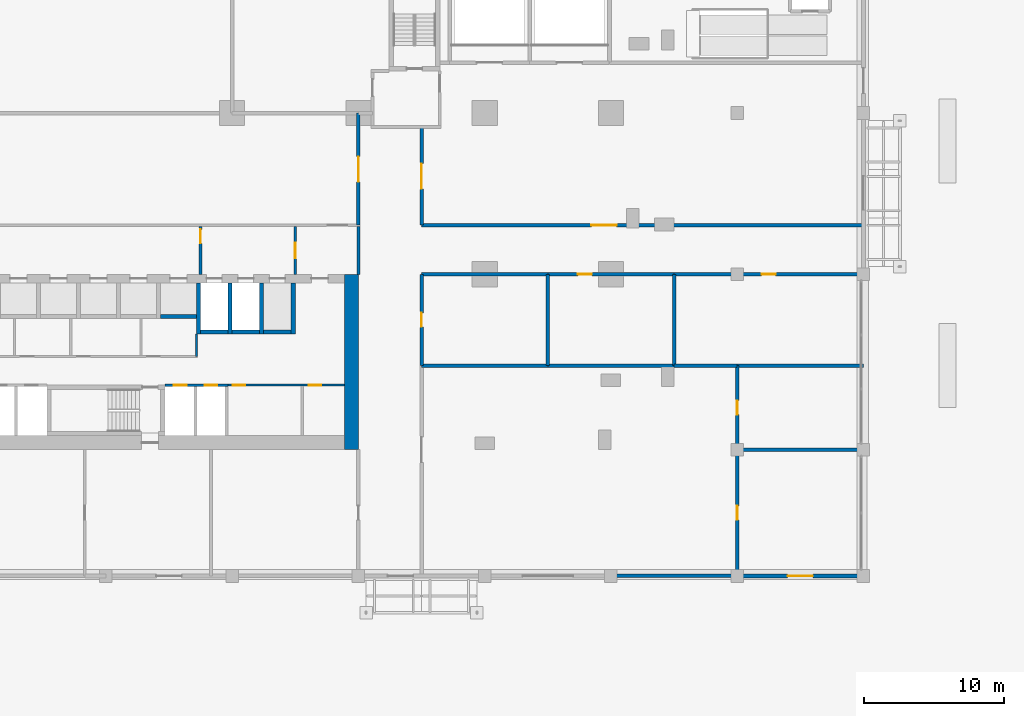
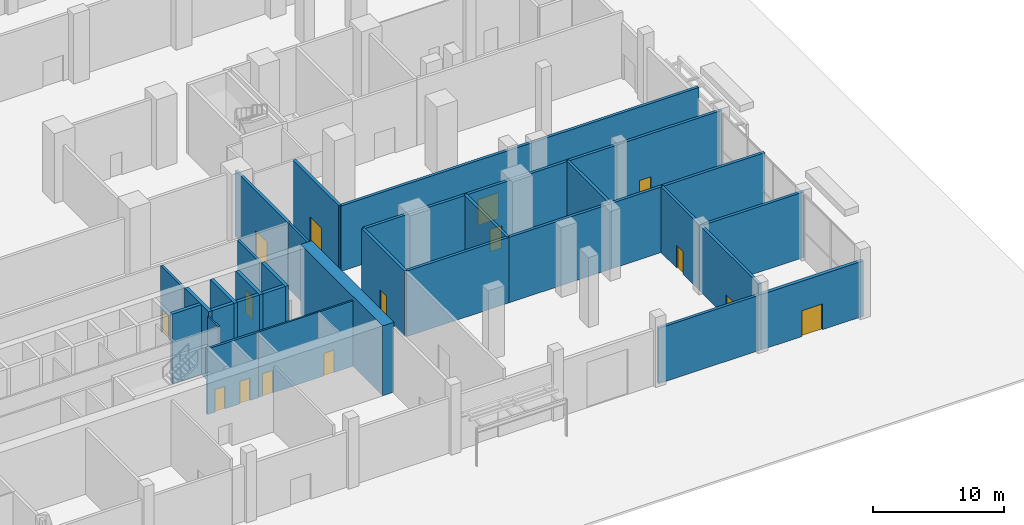
# One storey, part 33 of 39: 33 walls, 15 doors, 15 openings.
"""IFC4 building model written with IfcOpenShell, lengths in metres."""

from ifc_helpers import new_model, si_unit, direction, frame, frame_2d, origin, place, context, subcontext, project, spatial, rectangle, extrude, material, layer, layer_set, type_object, element, fill, save


model = new_model("IFC4")

# Units and contexts
model_context = context("Model", 3, precision=1e-05, world=origin(), true_north=direction((0.0, 1.0)))
body_context = subcontext(model_context, "Body", "Model", "MODEL_VIEW")
ifc_project = project(units=[si_unit("LENGTHUNIT", "METRE"), si_unit("AREAUNIT", "SQUARE_METRE"), si_unit("VOLUMEUNIT", "CUBIC_METRE"), si_unit("PLANEANGLEUNIT", "RADIAN"), si_unit("MASSUNIT", "GRAM", prefix="KILO")], contexts=[model_context])

# Site, building, storey
site_placement = place(None, origin())
site = spatial("IfcSite", under=ifc_project, at=site_placement, CompositionType="ELEMENT")
building_placement = place(site_placement, origin())
building = spatial("IfcBuilding", under=site, at=building_placement, Name="Brigalow Station Residences", CompositionType="ELEMENT")
storey_placement = place(building_placement, origin())
storey = spatial("IfcBuildingStorey", under=building, at=storey_placement, Name="L00", CompositionType="ELEMENT", Elevation=0.0)

# Walls
ifc_material_1 = material(Name="Concrete C80", Category="concrete")
ifc_layer_1 = layer(ifc_material_1, 1.0)
ifc_layer_set_1 = layer_set([ifc_layer_1], Name="CORE SHEAR WALL 1000 C80")
wall_type_1 = type_object("IfcWallType", Name="CORE SHEAR WALL 1000 C80", PredefinedType="SHEAR", material=ifc_layer_set_1)
wall_1_placement = place(storey_placement, frame((53.5, 0.0, 0.0), z_axis=(0.0, 0.0, 1.0), x_axis=(0.0, 1.0, 0.0)))
element("IfcWall", 1, at=wall_1_placement, inside=storey, type_object=wall_type_1, Name="CORE WALL OUT-E L00", PredefinedType="SHEAR", context=body_context, shape_type="SweptSolid", body=[
    extrude(rectangle(XDim=12.5, YDim=1.0, at=frame_2d((6.25, 0.0))), origin(), (0.0, 0.0, 1.0), 6.5),
])
ifc_material_2 = material(Name="Concrete C80", Category="concrete")
ifc_layer_2 = layer(ifc_material_2, 0.300048828125)
ifc_layer_set_2 = layer_set([ifc_layer_2], Name="CORE SHEAR WALL 300 C80")
wall_type_2 = type_object("IfcWallType", Name="CORE SHEAR WALL 300 C80", PredefinedType="SHEAR", material=ifc_layer_set_2)
wall_2_placement = place(storey_placement, frame((39.89990234375, 9.5, 0.0), z_axis=(0.0, 0.0, 1.0), x_axis=(1.0, 0.0, 0.0)))
element("IfcWall", 2, at=wall_2_placement, inside=storey, type_object=wall_type_2, Name="CORE WALL SH-X2-S L00", PredefinedType="SHEAR", context=body_context, shape_type="SweptSolid", body=[
    extrude(rectangle(XDim=2.550048828125, YDim=0.300048828125, at=frame_2d((1.27490234375, 0.0))), origin(), (0.0, 0.0, 1.0), 6.5),
])
wall_3_placement = place(storey_placement, frame((42.75, 8.39990234375, 0.0), z_axis=(0.0, 0.0, 1.0), x_axis=(1.0, 0.0, 0.0)))
element("IfcWall", 3, at=wall_3_placement, inside=storey, type_object=wall_type_2, Name="CORE WALL SH-FF1-S L00", PredefinedType="SHEAR", context=body_context, shape_type="SweptSolid", body=[
    extrude(rectangle(XDim=1.949951171875, YDim=0.300048828125, at=frame_2d((0.97509765625, 0.0))), origin(), (0.0, 0.0, 1.0), 6.5),
])
wall_4_placement = place(storey_placement, frame((42.60009765625, 8.25, 0.0), z_axis=(0.0, 0.0, 1.0), x_axis=(0.0, 1.0, 0.0)))
element("IfcWall", 4, at=wall_4_placement, inside=storey, type_object=wall_type_2, Name="CORE WALL SH-FF1-W L00", PredefinedType="SHEAR", context=body_context, shape_type="SweptSolid", body=[
    extrude(rectangle(XDim=3.64990234375, YDim=0.300048828125, at=frame_2d((1.824951171875, 0.0))), origin(), (0.0, 0.0, 1.0), 6.5),
])
wall_5_placement = place(storey_placement, frame((45.0, 8.39990234375, 0.0), z_axis=(0.0, 0.0, 1.0), x_axis=(1.0, 0.0, 0.0)))
element("IfcWall", 5, at=wall_5_placement, inside=storey, type_object=wall_type_2, Name="CORE WALL SH-FF2-S L00", PredefinedType="SHEAR", context=body_context, shape_type="SweptSolid", body=[
    extrude(rectangle(XDim=1.949951171875, YDim=0.300048828125, at=frame_2d((0.97509765625, 0.0))), origin(), (0.0, 0.0, 1.0), 6.5),
])
wall_6_placement = place(storey_placement, frame((44.85009765625, 8.25, 0.0), z_axis=(0.0, 0.0, 1.0), x_axis=(0.0, 1.0, 0.0)))
element("IfcWall", 6, at=wall_6_placement, inside=storey, type_object=wall_type_2, Name="CORE WALL SH-FF2-W L00", PredefinedType="SHEAR", context=body_context, shape_type="SweptSolid", body=[
    extrude(rectangle(XDim=3.64990234375, YDim=0.300048828125, at=frame_2d((1.824951171875, 0.0))), origin(), (0.0, 0.0, 1.0), 6.5),
])
wall_7_placement = place(storey_placement, frame((47.25, 8.39990234375, 0.0), z_axis=(0.0, 0.0, 1.0), x_axis=(1.0, 0.0, 0.0)))
element("IfcWall", 7, at=wall_7_placement, inside=storey, type_object=wall_type_2, Name="CORE WALL SH-SL1-S L00", PredefinedType="SHEAR", context=body_context, shape_type="SweptSolid", body=[
    extrude(rectangle(XDim=1.949951171875, YDim=0.300048828125, at=frame_2d((0.97509765625, 0.0))), origin(), (0.0, 0.0, 1.0), 6.5),
])
for number, where, z_axis, x_axis, name in (
    (8, (47.10009765625, 8.25, 0.0), (0.0, 0.0, 1.0), (0.0, 1.0, 0.0), "CORE WALL SH-SL1-W L00"),
    (9, (49.35009765625, 8.25, 0.0), (0.0, 0.0, 1.0), (0.0, 1.0, 0.0), "CORE WALL SH-SL1-E L00"),
):
    element("IfcWall", number, at=place(storey_placement, frame(where, z_axis=z_axis, x_axis=x_axis)), inside=storey, type_object=wall_type_2, Name=name, PredefinedType="SHEAR", context=body_context, shape_type="SweptSolid", body=[
        extrude(rectangle(XDim=3.64990234375, YDim=0.300048828125, at=frame_2d((1.824951171875, 0.0))), origin(), (0.0, 0.0, 1.0), 6.5),
    ])

# Wall, opening, door
ifc_material_3 = material(Name="Glass and aluminium shopfront on a masonry base", Category="masonry")
ifc_layer_3 = layer(ifc_material_3, 0.300048828125)
ifc_layer_set_3 = layer_set([ifc_layer_3], Name="ENTRANCE INFILL 300")
wall_type_3 = type_object("IfcWallType", Name="ENTRANCE INFILL 300", PredefinedType="SOLIDWALL", material=ifc_layer_set_3)
wall_8_placement = place(storey_placement, frame((81.0, -9.0, 0.0), z_axis=(0.0, 0.0, 1.0), x_axis=(1.0, 0.0, 0.0)))
wall_8 = element("IfcWall", 10, at=wall_8_placement, inside=storey, type_object=wall_type_3, Name="Entrance Infill 300 Bin Store / OUT", PredefinedType="SOLIDWALL", context=body_context, shape_type="SweptSolid", body=[
    extrude(rectangle(XDim=9.0, YDim=0.300048828125, at=frame_2d((4.5, 0.0))), origin(), (0.0, 0.0, 1.0), 5.14794921875),
])
opening_1_placement = place(wall_8_placement, frame((3.60009765625, 0.0, 0.0)))
opening_1 = element("IfcOpeningElement", 11, at=opening_1_placement, cuts=wall_8, Name="Opening D-7106", PredefinedType="OPENING", context=body_context, shape_type="SweptSolid", body=[
    extrude(rectangle(XDim=1.800048828125, YDim=2.39990234375, at=frame_2d((0.89990234375, 1.199951171875))), frame((0.0, 0.16015625, 0.0), z_axis=(0.0, -1.0, 0.0), x_axis=(1.0, 0.0, 0.0)), (0.0, 0.0, 1.0), 0.320068359375),
])
ifc_material_4 = material(Name="Galvanised steel door leaves in steel frame", Category="steel")
door_type_1 = type_object("IfcDoorType", Name="SERVICE DOOR DOUBLE 1800", OperationType="DOUBLE_DOOR_SINGLE_SWING", PredefinedType="DOOR", material=ifc_material_4)
door_1_placement = place(opening_1_placement, frame((1.800048828125, 0.0, 0.0), z_axis=(0.0, 0.0, 1.0), x_axis=(-1.0, 0.0, 0.0)))
door_1 = element("IfcDoor", 12, at=door_1_placement, inside=storey, type_object=door_type_1, Name="Bin store service door", OperationType="DOUBLE_DOOR_SINGLE_SWING", OverallHeight=2.39990234375, OverallWidth=1.800048828125, PredefinedType="DOOR", context=body_context, shape_type="SweptSolid", body=[
    extrude(rectangle(XDim=1.800048828125, YDim=2.39990234375, at=frame_2d((0.89990234375, 1.199951171875))), frame((0.0, 0.02490234375, 0.0), z_axis=(0.0, -1.0, 0.0), x_axis=(1.0, 0.0, 0.0)), (0.0, 0.0, 1.0), 0.050048828125),
])
fill(opening_1, door_1)

ifc_material_5 = material(Name="Fire-rated plasterboard on steel studs", Category="steel")
ifc_layer_4 = layer(ifc_material_5, 0.25)
ifc_layer_set_4 = layer_set([ifc_layer_4], Name="FIRE PARTITION 250")
wall_type_4 = type_object("IfcWallType", Name="FIRE PARTITION 250", PredefinedType="PARTITIONING", material=ifc_layer_set_4)
wall_9_placement = place(storey_placement, frame((54.0, 16.0, 0.0), z_axis=(0.0, 0.0, 1.0), x_axis=(0.0, 1.0, 0.0)))
wall_9 = element("IfcWall", 13, at=wall_9_placement, inside=storey, type_object=wall_type_4, Name="Fire Partition 250 Residents' Lobby / Service Corridor", PredefinedType="PARTITIONING", context=body_context, shape_type="SweptSolid", body=[
    extrude(rectangle(XDim=8.0, YDim=0.25, at=frame_2d((4.0, 0.0))), origin(), (0.0, 0.0, 1.0), 6.097900390625),
])
opening_2_placement = place(wall_9_placement, frame((3.10009765625, 0.0, 0.0)))
opening_2 = element("IfcOpeningElement", 14, at=opening_2_placement, cuts=wall_9, Name="Opening D-7129", PredefinedType="OPENING", context=body_context, shape_type="SweptSolid", body=[
    extrude(rectangle(XDim=1.800048828125, YDim=2.39990234375, at=frame_2d((0.89990234375, 1.199951171875))), frame((0.0, 0.135009765625, 0.0), z_axis=(0.0, -1.0, 0.0), x_axis=(1.0, 0.0, 0.0)), (0.0, 0.0, 1.0), 0.27001953125),
])
ifc_material_6 = material(Name="Steel fire door leaves in steel frame", Category="steel")
door_type_2 = type_object("IfcDoorType", Name="DOOR DOUBLE 1800 FIRE", OperationType="DOUBLE_DOOR_SINGLE_SWING", PredefinedType="DOOR", material=ifc_material_6)
door_2_placement = place(opening_2_placement, origin())
door_2 = element("IfcDoor", 15, at=door_2_placement, inside=storey, type_object=door_type_2, Name="Service corridor door to lobby", OperationType="DOUBLE_DOOR_SINGLE_SWING", OverallHeight=2.39990234375, OverallWidth=1.800048828125, PredefinedType="DOOR", context=body_context, shape_type="SweptSolid", body=[
    extrude(rectangle(XDim=1.800048828125, YDim=2.39990234375, at=frame_2d((0.89990234375, 1.199951171875))), frame((0.0, 0.02490234375, 0.0), z_axis=(0.0, -1.0, 0.0), x_axis=(1.0, 0.0, 0.0)), (0.0, 0.0, 1.0), 0.050048828125),
])
fill(opening_2, door_2)

wall_10_placement = place(storey_placement, frame((58.5, 6.0, 0.0), z_axis=(0.0, 0.0, 1.0), x_axis=(0.0, 1.0, 0.0)))
wall_10 = element("IfcWall", 16, at=wall_10_placement, inside=storey, type_object=wall_type_4, Name="Fire Partition 250 Service Corridor / Switch Room", PredefinedType="PARTITIONING", context=body_context, shape_type="SweptSolid", body=[
    extrude(rectangle(XDim=6.5, YDim=0.25, at=frame_2d((3.25, 0.0))), origin(), (0.0, 0.0, 1.0), 6.097900390625),
])
opening_3_placement = place(wall_10_placement, frame((2.75, 0.0, 0.0)))
opening_3 = element("IfcOpeningElement", 17, at=opening_3_placement, cuts=wall_10, Name="Opening D-7133", PredefinedType="OPENING", context=body_context, shape_type="SweptSolid", body=[
    extrude(rectangle(XDim=1.0, YDim=2.10009765625, at=frame_2d((0.5, 1.050048828125))), frame((0.0, 0.135009765625, 0.0), z_axis=(0.0, -1.0, 0.0), x_axis=(1.0, 0.0, 0.0)), (0.0, 0.0, 1.0), 0.27001953125),
])
ifc_material_7 = material(Name="Steel fire door leaf in steel frame", Category="steel")
door_type_3 = type_object("IfcDoorType", Name="DOOR SINGLE 1000 FIRE", OperationType="SINGLE_SWING_LEFT", PredefinedType="DOOR", material=ifc_material_7)
door_3_placement = place(opening_3_placement, frame((1.0, 0.0, 0.0), z_axis=(0.0, 0.0, 1.0), x_axis=(-1.0, 0.0, 0.0)))
door_3 = element("IfcDoor", 18, at=door_3_placement, inside=storey, type_object=door_type_3, Name="Switch room door", OperationType="SINGLE_SWING_RIGHT", OverallHeight=2.10009765625, OverallWidth=1.0, PredefinedType="DOOR", context=body_context, shape_type="SweptSolid", body=[
    extrude(rectangle(XDim=1.0, YDim=2.10009765625, at=frame_2d((0.5, 1.050048828125))), frame((0.0, 0.02490234375, 0.0), z_axis=(0.0, -1.0, 0.0), x_axis=(1.0, 0.0, 0.0)), (0.0, 0.0, 1.0), 0.050048828125),
])
fill(opening_3, door_3)

wall_11_placement = place(storey_placement, frame((58.5, 16.0, 0.0), z_axis=(0.0, 0.0, 1.0), x_axis=(0.0, 1.0, 0.0)))
wall_11 = element("IfcWall", 19, at=wall_11_placement, inside=storey, type_object=wall_type_4, Name="Fire Partition 250 Service Corridor / East Exit Lobby", PredefinedType="PARTITIONING", context=body_context, shape_type="SweptSolid", body=[
    extrude(rectangle(XDim=7.0, YDim=0.25, at=frame_2d((3.5, 0.0))), origin(), (0.0, 0.0, 1.0), 6.097900390625),
])
opening_4_placement = place(wall_11_placement, frame((2.60009765625, 0.0, 0.0)))
opening_4 = element("IfcOpeningElement", 20, at=opening_4_placement, cuts=wall_11, Name="Opening D-7131", PredefinedType="OPENING", context=body_context, shape_type="SweptSolid", body=[
    extrude(rectangle(XDim=1.800048828125, YDim=2.39990234375, at=frame_2d((0.89990234375, 1.199951171875))), frame((0.0, 0.135009765625, 0.0), z_axis=(0.0, -1.0, 0.0), x_axis=(1.0, 0.0, 0.0)), (0.0, 0.0, 1.0), 0.27001953125),
])
door_4_placement = place(opening_4_placement, frame((1.800048828125, 0.0, 0.0), z_axis=(0.0, 0.0, 1.0), x_axis=(-1.0, 0.0, 0.0)))
door_4 = element("IfcDoor", 21, at=door_4_placement, inside=storey, type_object=door_type_2, Name="East exit lobby door to service corridor", OperationType="DOUBLE_DOOR_SINGLE_SWING", OverallHeight=2.39990234375, OverallWidth=1.800048828125, PredefinedType="DOOR", context=body_context, shape_type="SweptSolid", body=[
    extrude(rectangle(XDim=1.800048828125, YDim=2.39990234375, at=frame_2d((0.89990234375, 1.199951171875))), frame((0.0, 0.02490234375, 0.0), z_axis=(0.0, -1.0, 0.0), x_axis=(1.0, 0.0, 0.0)), (0.0, 0.0, 1.0), 0.050048828125),
])
fill(opening_4, door_4)

# Wall
wall_12_placement = place(storey_placement, frame((58.5, 12.5, 0.0), z_axis=(0.0, 0.0, 1.0), x_axis=(1.0, 0.0, 0.0)))
element("IfcWall", 22, at=wall_12_placement, inside=storey, type_object=wall_type_4, Name="Fire Partition 250 Service Corridor East / Switch Room", PredefinedType="PARTITIONING", context=body_context, shape_type="SweptSolid", body=[
    extrude(rectangle(XDim=9.0, YDim=0.25, at=frame_2d((4.5, 0.0))), origin(), (0.0, 0.0, 1.0), 6.097900390625),
])

# Wall, opening, door
wall_13_placement = place(storey_placement, frame((67.5, 12.5, 0.0), z_axis=(0.0, 0.0, 1.0), x_axis=(1.0, 0.0, 0.0)))
wall_13 = element("IfcWall", 23, at=wall_13_placement, inside=storey, type_object=wall_type_4, Name="Fire Partition 250 Service Corridor East / Comms Room", PredefinedType="PARTITIONING", context=body_context, shape_type="SweptSolid", body=[
    extrude(rectangle(XDim=9.0, YDim=0.25, at=frame_2d((4.5, 0.0))), origin(), (0.0, 0.0, 1.0), 6.097900390625),
])
opening_5_placement = place(wall_13_placement, frame((2.14990234375, 0.0, 0.0)))
opening_5 = element("IfcOpeningElement", 24, at=opening_5_placement, cuts=wall_13, Name="Opening D-7134", PredefinedType="OPENING", context=body_context, shape_type="SweptSolid", body=[
    extrude(rectangle(XDim=1.0, YDim=2.10009765625, at=frame_2d((0.5, 1.050048828125))), frame((0.0, 0.135009765625, 0.0), z_axis=(0.0, -1.0, 0.0), x_axis=(1.0, 0.0, 0.0)), (0.0, 0.0, 1.0), 0.27001953125),
])
door_5_placement = place(opening_5_placement, frame((1.0, 0.0, 0.0), z_axis=(0.0, 0.0, 1.0), x_axis=(-1.0, 0.0, 0.0)))
door_5 = element("IfcDoor", 25, at=door_5_placement, inside=storey, type_object=door_type_3, Name="Comms room door", OperationType="SINGLE_SWING_RIGHT", OverallHeight=2.10009765625, OverallWidth=1.0, PredefinedType="DOOR", context=body_context, shape_type="SweptSolid", body=[
    extrude(rectangle(XDim=1.0, YDim=2.10009765625, at=frame_2d((0.5, 1.050048828125))), frame((0.0, 0.02490234375, 0.0), z_axis=(0.0, -1.0, 0.0), x_axis=(1.0, 0.0, 0.0)), (0.0, 0.0, 1.0), 0.050048828125),
])
fill(opening_5, door_5)

wall_14_placement = place(storey_placement, frame((76.5, 12.5, 0.0), z_axis=(0.0, 0.0, 1.0), x_axis=(1.0, 0.0, 0.0)))
wall_14 = element("IfcWall", 26, at=wall_14_placement, inside=storey, type_object=wall_type_4, Name="Fire Partition 250 Service Corridor East / Fire Pump Room", PredefinedType="PARTITIONING", context=body_context, shape_type="SweptSolid", body=[
    extrude(rectangle(XDim=13.5, YDim=0.25, at=frame_2d((6.75, 0.0))), origin(), (0.0, 0.0, 1.0), 6.097900390625),
])
opening_6_placement = place(wall_14_placement, frame((6.25, 0.0, 0.0)))
opening_6 = element("IfcOpeningElement", 27, at=opening_6_placement, cuts=wall_14, Name="Opening D-7135", PredefinedType="OPENING", context=body_context, shape_type="SweptSolid", body=[
    extrude(rectangle(XDim=1.0, YDim=2.10009765625, at=frame_2d((0.5, 1.050048828125))), frame((0.0, 0.135009765625, 0.0), z_axis=(0.0, -1.0, 0.0), x_axis=(1.0, 0.0, 0.0)), (0.0, 0.0, 1.0), 0.27001953125),
])
door_6_placement = place(opening_6_placement, frame((1.0, 0.0, 0.0), z_axis=(0.0, 0.0, 1.0), x_axis=(-1.0, 0.0, 0.0)))
door_6 = element("IfcDoor", 28, at=door_6_placement, inside=storey, type_object=door_type_3, Name="Fire pump room door", OperationType="SINGLE_SWING_LEFT", OverallHeight=2.10009765625, OverallWidth=1.0, PredefinedType="DOOR", context=body_context, shape_type="SweptSolid", body=[
    extrude(rectangle(XDim=1.0, YDim=2.10009765625, at=frame_2d((0.5, 1.050048828125))), frame((0.0, 0.02490234375, 0.0), z_axis=(0.0, -1.0, 0.0), x_axis=(1.0, 0.0, 0.0)), (0.0, 0.0, 1.0), 0.050048828125),
])
fill(opening_6, door_6)

wall_15_placement = place(storey_placement, frame((58.5, 16.0, 0.0), z_axis=(0.0, 0.0, 1.0), x_axis=(1.0, 0.0, 0.0)))
wall_15 = element("IfcWall", 29, at=wall_15_placement, inside=storey, type_object=wall_type_4, Name="Fire Partition 250 Service Corridor East / East Exit Lobby", PredefinedType="PARTITIONING", context=body_context, shape_type="SweptSolid", body=[
    extrude(rectangle(XDim=31.5, YDim=0.25, at=frame_2d((15.75, 0.0))), origin(), (0.0, 0.0, 1.0), 6.097900390625),
])
opening_7_placement = place(wall_15_placement, frame((12.10009765625, 0.0, 0.0)))
opening_7 = element("IfcOpeningElement", 30, at=opening_7_placement, cuts=wall_15, Name="Opening D-7136", PredefinedType="OPENING", context=body_context, shape_type="SweptSolid", body=[
    extrude(rectangle(XDim=1.800048828125, YDim=2.39990234375, at=frame_2d((0.89990234375, 1.199951171875))), frame((0.0, 0.135009765625, 0.0), z_axis=(0.0, -1.0, 0.0), x_axis=(1.0, 0.0, 0.0)), (0.0, 0.0, 1.0), 0.27001953125),
])
door_7_placement = place(opening_7_placement, origin())
door_7 = element("IfcDoor", 31, at=door_7_placement, inside=storey, type_object=door_type_2, Name="Service corridor east door to exit lobby", OperationType="DOUBLE_DOOR_SINGLE_SWING", OverallHeight=2.39990234375, OverallWidth=1.800048828125, PredefinedType="DOOR", context=body_context, shape_type="SweptSolid", body=[
    extrude(rectangle(XDim=1.800048828125, YDim=2.39990234375, at=frame_2d((0.89990234375, 1.199951171875))), frame((0.0, 0.02490234375, 0.0), z_axis=(0.0, -1.0, 0.0), x_axis=(1.0, 0.0, 0.0)), (0.0, 0.0, 1.0), 0.050048828125),
])
fill(opening_7, door_7)

wall_16_placement = place(storey_placement, frame((81.0, -9.0, 0.0), z_axis=(0.0, 0.0, 1.0), x_axis=(0.0, 1.0, 0.0)))
wall_16 = element("IfcWall", 32, at=wall_16_placement, inside=storey, type_object=wall_type_4, Name="Fire Partition 250 Goods Receiving Room / Bin Store", PredefinedType="PARTITIONING", context=body_context, shape_type="SweptSolid", body=[
    extrude(rectangle(XDim=9.0, YDim=0.25, at=frame_2d((4.5, 0.0))), origin(), (0.0, 0.0, 1.0), 6.097900390625),
])
opening_8_placement = place(wall_16_placement, frame((4.0, 0.0, 0.0)))
opening_8 = element("IfcOpeningElement", 33, at=opening_8_placement, cuts=wall_16, Name="Opening D-7137", PredefinedType="OPENING", context=body_context, shape_type="SweptSolid", body=[
    extrude(rectangle(XDim=1.0, YDim=2.10009765625, at=frame_2d((0.5, 1.050048828125))), frame((0.0, 0.135009765625, 0.0), z_axis=(0.0, -1.0, 0.0), x_axis=(1.0, 0.0, 0.0)), (0.0, 0.0, 1.0), 0.27001953125),
])
door_8_placement = place(opening_8_placement, frame((1.0, 0.0, 0.0), z_axis=(0.0, 0.0, 1.0), x_axis=(-1.0, 0.0, 0.0)))
door_8 = element("IfcDoor", 34, at=door_8_placement, inside=storey, type_object=door_type_3, Name="Bin store door to goods room", OperationType="SINGLE_SWING_LEFT", OverallHeight=2.10009765625, OverallWidth=1.0, PredefinedType="DOOR", context=body_context, shape_type="SweptSolid", body=[
    extrude(rectangle(XDim=1.0, YDim=2.10009765625, at=frame_2d((0.5, 1.050048828125))), frame((0.0, 0.02490234375, 0.0), z_axis=(0.0, -1.0, 0.0), x_axis=(1.0, 0.0, 0.0)), (0.0, 0.0, 1.0), 0.050048828125),
])
fill(opening_8, door_8)

wall_17_placement = place(storey_placement, frame((81.0, 0.0, 0.0), z_axis=(0.0, 0.0, 1.0), x_axis=(0.0, 1.0, 0.0)))
wall_17 = element("IfcWall", 35, at=wall_17_placement, inside=storey, type_object=wall_type_4, Name="Fire Partition 250 Goods Receiving Room / Cleaners Store", PredefinedType="PARTITIONING", context=body_context, shape_type="SweptSolid", body=[
    extrude(rectangle(XDim=6.0, YDim=0.25, at=frame_2d((3.0, 0.0))), origin(), (0.0, 0.0, 1.0), 6.097900390625),
])
opening_9_placement = place(wall_17_placement, frame((2.5, 0.0, 0.0)))
opening_9 = element("IfcOpeningElement", 36, at=opening_9_placement, cuts=wall_17, Name="Opening D-7138", PredefinedType="OPENING", context=body_context, shape_type="SweptSolid", body=[
    extrude(rectangle(XDim=1.0, YDim=2.10009765625, at=frame_2d((0.5, 1.050048828125))), frame((0.0, 0.135009765625, 0.0), z_axis=(0.0, -1.0, 0.0), x_axis=(1.0, 0.0, 0.0)), (0.0, 0.0, 1.0), 0.27001953125),
])
door_9_placement = place(opening_9_placement, frame((1.0, 0.0, 0.0), z_axis=(0.0, 0.0, 1.0), x_axis=(-1.0, 0.0, 0.0)))
door_9 = element("IfcDoor", 37, at=door_9_placement, inside=storey, type_object=door_type_3, Name="Cleaners store door", OperationType="SINGLE_SWING_RIGHT", OverallHeight=2.10009765625, OverallWidth=1.0, PredefinedType="DOOR", context=body_context, shape_type="SweptSolid", body=[
    extrude(rectangle(XDim=1.0, YDim=2.10009765625, at=frame_2d((0.5, 1.050048828125))), frame((0.0, 0.02490234375, 0.0), z_axis=(0.0, -1.0, 0.0), x_axis=(1.0, 0.0, 0.0)), (0.0, 0.0, 1.0), 0.050048828125),
])
fill(opening_9, door_9)

# Walls
for number, where, z_axis, x_axis, name in (
    (38, (58.5, 6.0, 0.0), (0.0, 0.0, 1.0), (1.0, 0.0, 0.0), "Fire Partition 250 Goods Receiving Room / Switch Room"),
    (39, (67.5, 6.0, 0.0), (0.0, 0.0, 1.0), (1.0, 0.0, 0.0), "Fire Partition 250 Goods Receiving Room / Comms Room"),
):
    element("IfcWall", number, at=place(storey_placement, frame(where, z_axis=z_axis, x_axis=x_axis)), inside=storey, type_object=wall_type_4, Name=name, PredefinedType="PARTITIONING", context=body_context, shape_type="SweptSolid", body=[
        extrude(rectangle(XDim=9.0, YDim=0.25, at=frame_2d((4.5, 0.0))), origin(), (0.0, 0.0, 1.0), 6.097900390625),
    ])
wall_18_placement = place(storey_placement, frame((76.5, 6.0, 0.0), z_axis=(0.0, 0.0, 1.0), x_axis=(1.0, 0.0, 0.0)))
element("IfcWall", 40, at=wall_18_placement, inside=storey, type_object=wall_type_4, Name="Fire Partition 250 Goods Receiving Room / Fire Pump Room", PredefinedType="PARTITIONING", context=body_context, shape_type="SweptSolid", body=[
    extrude(rectangle(XDim=4.5, YDim=0.25, at=frame_2d((2.25, 0.0))), origin(), (0.0, 0.0, 1.0), 6.097900390625),
])
for number, where, z_axis, x_axis, name in (
    (41, (81.0, 0.0, 0.0), (0.0, 0.0, 1.0), (1.0, 0.0, 0.0), "Fire Partition 250 Bin Store / Cleaners Store"),
    (42, (81.0, 6.0, 0.0), (0.0, 0.0, 1.0), (1.0, 0.0, 0.0), "Fire Partition 250 Cleaners Store / Fire Pump Room"),
):
    element("IfcWall", number, at=place(storey_placement, frame(where, z_axis=z_axis, x_axis=x_axis)), inside=storey, type_object=wall_type_4, Name=name, PredefinedType="PARTITIONING", context=body_context, shape_type="SweptSolid", body=[
        extrude(rectangle(XDim=9.0, YDim=0.25, at=frame_2d((4.5, 0.0))), origin(), (0.0, 0.0, 1.0), 6.097900390625),
    ])
for number, where, z_axis, x_axis, name in (
    (43, (67.5, 6.0, 0.0), (0.0, 0.0, 1.0), (0.0, 1.0, 0.0), "Fire Partition 250 Switch Room / Comms Room"),
    (44, (76.5, 6.0, 0.0), (0.0, 0.0, 1.0), (0.0, 1.0, 0.0), "Fire Partition 250 Comms Room / Fire Pump Room"),
):
    element("IfcWall", number, at=place(storey_placement, frame(where, z_axis=z_axis, x_axis=x_axis)), inside=storey, type_object=wall_type_4, Name=name, PredefinedType="PARTITIONING", context=body_context, shape_type="SweptSolid", body=[
        extrude(rectangle(XDim=6.5, YDim=0.25, at=frame_2d((3.25, 0.0))), origin(), (0.0, 0.0, 1.0), 6.097900390625),
    ])
wall_19_placement = place(storey_placement, frame((72.0, -9.0, 0.0), z_axis=(0.0, 0.0, 1.0), x_axis=(1.0, 0.0, 0.0)))
element("IfcWall", 45, at=wall_19_placement, inside=storey, type_object=wall_type_4, Name="Fire Partition 250 Goods Receiving Room / OUT", PredefinedType="PARTITIONING", context=body_context, shape_type="SweptSolid", body=[
    extrude(rectangle(XDim=9.0, YDim=0.25, at=frame_2d((4.5, 0.0))), origin(), (0.0, 0.0, 1.0), 5.14794921875),
])

# Wall, openings, doors
ifc_material_8 = material(Name="Concrete blockwork", Category="masonry")
ifc_layer_5 = layer(ifc_material_8, 0.199951171875)
ifc_layer_set_5 = layer_set([ifc_layer_5], Name="FIRE RATED CORE PARTITION 200")
wall_type_5 = type_object("IfcWallType", Name="FIRE RATED CORE PARTITION 200", PredefinedType="PARTITIONING", material=ifc_layer_set_5)
wall_20_placement = place(storey_placement, frame((40.199951171875, 4.60009765625, 0.0), z_axis=(0.0, 0.0, 1.0), x_axis=(1.0, 0.0, 0.0)))
wall_20 = element("IfcWall", 46, at=wall_20_placement, inside=storey, type_object=wall_type_5, Name="PW-5018", PredefinedType="PARTITIONING", context=body_context, shape_type="SweptSolid", body=[
    extrude(rectangle(XDim=4.5, YDim=0.199951171875, at=frame_2d((2.25, 0.0))), origin(), (0.0, 0.0, 1.0), 6.097900390625),
])
opening_10_placement = place(wall_20_placement, frame((0.64990234375, 0.0, 0.0)))
opening_10 = element("IfcOpeningElement", 47, at=opening_10_placement, cuts=wall_20, Name="Opening D-5009", PredefinedType="OPENING", context=body_context, shape_type="SweptSolid", body=[
    extrude(rectangle(XDim=0.89990234375, YDim=2.10009765625, at=frame_2d((0.449951171875, 1.050048828125))), frame((0.0, 0.10986328125, 0.0), z_axis=(0.0, -1.0, 0.0), x_axis=(1.0, 0.0, 0.0)), (0.0, 0.0, 1.0), 0.219970703125),
])
opening_11_placement = place(wall_20_placement, frame((2.85009765625, 0.0, 0.0)))
opening_11 = element("IfcOpeningElement", 48, at=opening_11_placement, cuts=wall_20, Name="Opening D-5010", PredefinedType="OPENING", context=body_context, shape_type="SweptSolid", body=[
    extrude(rectangle(XDim=0.89990234375, YDim=2.10009765625, at=frame_2d((0.449951171875, 1.050048828125))), frame((0.0, 0.10986328125, 0.0), z_axis=(0.0, -1.0, 0.0), x_axis=(1.0, 0.0, 0.0)), (0.0, 0.0, 1.0), 0.219970703125),
])
ifc_material_9 = material(Name="Steel fire door leaf in steel frame", Category="steel")
door_type_4 = type_object("IfcDoorType", Name="RISER ACCESS DOOR 900 x 2100 FD120", OperationType="SINGLE_SWING_LEFT", PredefinedType="DOOR", material=ifc_material_9)
door_10_placement = place(opening_10_placement, frame((0.89990234375, 0.0, 0.0), z_axis=(0.0, 0.0, 1.0), x_axis=(-1.0, 0.0, 0.0)))
door_10 = element("IfcDoor", 49, at=door_10_placement, inside=storey, type_object=door_type_4, Name="D-5009", OperationType="SINGLE_SWING_LEFT", OverallHeight=2.10009765625, OverallWidth=0.89990234375, PredefinedType="DOOR", context=body_context, shape_type="SweptSolid", body=[
    extrude(rectangle(XDim=0.89990234375, YDim=2.10009765625, at=frame_2d((0.449951171875, 1.050048828125))), frame((0.0, 0.02490234375, 0.0), z_axis=(0.0, -1.0, 0.0), x_axis=(1.0, 0.0, 0.0)), (0.0, 0.0, 1.0), 0.050048828125),
])
fill(opening_10, door_10)
door_11_placement = place(opening_11_placement, frame((0.89990234375, 0.0, 0.0), z_axis=(0.0, 0.0, 1.0), x_axis=(-1.0, 0.0, 0.0)))
door_11 = element("IfcDoor", 50, at=door_11_placement, inside=storey, type_object=door_type_4, Name="D-5010", OperationType="SINGLE_SWING_RIGHT", OverallHeight=2.10009765625, OverallWidth=0.89990234375, PredefinedType="DOOR", context=body_context, shape_type="SweptSolid", body=[
    extrude(rectangle(XDim=0.89990234375, YDim=2.10009765625, at=frame_2d((0.449951171875, 1.050048828125))), frame((0.0, 0.02490234375, 0.0), z_axis=(0.0, -1.0, 0.0), x_axis=(1.0, 0.0, 0.0)), (0.0, 0.0, 1.0), 0.050048828125),
])
fill(opening_11, door_11)

# Wall, opening, door
wall_21_placement = place(storey_placement, frame((42.75, 12.5, 0.0), z_axis=(0.0, 0.0, 1.0), x_axis=(0.0, 1.0, 0.0)))
wall_21 = element("IfcWall", 51, at=wall_21_placement, inside=storey, type_object=wall_type_5, Name="PW-5014", PredefinedType="PARTITIONING", context=body_context, shape_type="SweptSolid", body=[
    extrude(rectangle(XDim=3.39990234375, YDim=0.199951171875, at=frame_2d((1.699951171875, 0.0))), origin(), (0.0, 0.0, 1.0), 6.097900390625),
])
opening_12_placement = place(wall_21_placement, frame((2.199951171875, 0.0, 0.0)))
opening_12 = element("IfcOpeningElement", 52, at=opening_12_placement, cuts=wall_21, Name="Opening D-5013", PredefinedType="OPENING", context=body_context, shape_type="SweptSolid", body=[
    extrude(rectangle(XDim=1.0, YDim=2.10009765625, at=frame_2d((0.5, 1.050048828125))), frame((0.0, 0.10986328125, 0.0), z_axis=(0.0, -1.0, 0.0), x_axis=(1.0, 0.0, 0.0)), (0.0, 0.0, 1.0), 0.219970703125),
])
ifc_material_10 = material(Name="Steel fire door leaf in steel frame", Category="steel")
door_type_5 = type_object("IfcDoorType", Name="LOBBY DOOR 1000 x 2100 FD60S", OperationType="SINGLE_SWING_LEFT", PredefinedType="DOOR", material=ifc_material_10)
door_12_placement = place(opening_12_placement, origin())
door_12 = element("IfcDoor", 53, at=door_12_placement, inside=storey, type_object=door_type_5, Name="D-5013", OperationType="SINGLE_SWING_RIGHT", OverallHeight=2.10009765625, OverallWidth=1.0, PredefinedType="DOOR", context=body_context, shape_type="SweptSolid", body=[
    extrude(rectangle(XDim=1.0, YDim=2.10009765625, at=frame_2d((0.5, 1.050048828125))), frame((0.0, 0.02490234375, 0.0), z_axis=(0.0, -1.0, 0.0), x_axis=(1.0, 0.0, 0.0)), (0.0, 0.0, 1.0), 0.050048828125),
])
fill(opening_12, door_12)

wall_22_placement = place(storey_placement, frame((49.5, 12.5, 0.0), z_axis=(0.0, 0.0, 1.0), x_axis=(0.0, 1.0, 0.0)))
wall_22 = element("IfcWall", 54, at=wall_22_placement, inside=storey, type_object=wall_type_5, Name="PW-5015", PredefinedType="PARTITIONING", context=body_context, shape_type="SweptSolid", body=[
    extrude(rectangle(XDim=3.39990234375, YDim=0.199951171875, at=frame_2d((1.699951171875, 0.0))), origin(), (0.0, 0.0, 1.0), 6.097900390625),
])
opening_13_placement = place(wall_22_placement, frame((1.14990234375, 0.0, 0.0)))
opening_13 = element("IfcOpeningElement", 55, at=opening_13_placement, cuts=wall_22, Name="Opening D-5014", PredefinedType="OPENING", context=body_context, shape_type="SweptSolid", body=[
    extrude(rectangle(XDim=1.10009765625, YDim=2.10009765625, at=frame_2d((0.550048828125, 1.050048828125))), frame((0.0, 0.10986328125, 0.0), z_axis=(0.0, -1.0, 0.0), x_axis=(1.0, 0.0, 0.0)), (0.0, 0.0, 1.0), 0.219970703125),
])
ifc_material_11 = material(Name="Steel fire door leaf in steel frame", Category="steel")
door_type_6 = type_object("IfcDoorType", Name="LOBBY DOOR 1100 x 2100 FD60S", OperationType="SINGLE_SWING_LEFT", PredefinedType="DOOR", material=ifc_material_11)
door_13_placement = place(opening_13_placement, origin())
door_13 = element("IfcDoor", 56, at=door_13_placement, inside=storey, type_object=door_type_6, Name="D-5014", OperationType="SINGLE_SWING_LEFT", OverallHeight=2.10009765625, OverallWidth=1.10009765625, PredefinedType="DOOR", context=body_context, shape_type="SweptSolid", body=[
    extrude(rectangle(XDim=1.10009765625, YDim=2.10009765625, at=frame_2d((0.550048828125, 1.050048828125))), frame((0.0, 0.02490234375, 0.0), z_axis=(0.0, -1.0, 0.0), x_axis=(1.0, 0.0, 0.0)), (0.0, 0.0, 1.0), 0.050048828125),
])
fill(opening_13, door_13)

# Wall
wall_23_placement = place(storey_placement, frame((54.0, 12.5, 0.0), z_axis=(0.0, 0.0, 1.0), x_axis=(0.0, 1.0, 0.0)))
element("IfcWall", 57, at=wall_23_placement, inside=storey, type_object=wall_type_5, Name="PW-5016", PredefinedType="PARTITIONING", context=body_context, shape_type="SweptSolid", body=[
    extrude(rectangle(XDim=3.39990234375, YDim=0.199951171875, at=frame_2d((1.699951171875, 0.0))), origin(), (0.0, 0.0, 1.0), 6.097900390625),
])

# Wall, openings, doors
ifc_material_12 = material(Name="Plasterboard on steel studs", Category="steel")
ifc_layer_6 = layer(ifc_material_12, 0.14990234375)
ifc_layer_set_6 = layer_set([ifc_layer_6], Name="SERVICE ROOM PARTITION 150")
wall_type_6 = type_object("IfcWallType", Name="SERVICE ROOM PARTITION 150", PredefinedType="PARTITIONING", material=ifc_layer_set_6)
wall_24_placement = place(storey_placement, frame((44.699951171875, 4.60009765625, 0.0), z_axis=(0.0, 0.0, 1.0), x_axis=(1.0, 0.0, 0.0)))
wall_24 = element("IfcWall", 58, at=wall_24_placement, inside=storey, type_object=wall_type_6, Name="PW-5020", PredefinedType="PARTITIONING", context=body_context, shape_type="SweptSolid", body=[
    extrude(rectangle(XDim=8.300048828125, YDim=0.14990234375, at=frame_2d((4.14990234375, 0.0))), origin(), (0.0, 0.0, 1.0), 6.097900390625),
])
opening_14_placement = place(wall_24_placement, frame((0.35009765625, 0.0, 0.0)))
opening_14 = element("IfcOpeningElement", 59, at=opening_14_placement, cuts=wall_24, Name="Opening D-5026", PredefinedType="OPENING", context=body_context, shape_type="SweptSolid", body=[
    extrude(rectangle(XDim=0.89990234375, YDim=2.10009765625, at=frame_2d((0.449951171875, 1.050048828125))), frame((0.0, 0.0849609375, 0.0), z_axis=(0.0, -1.0, 0.0), x_axis=(1.0, 0.0, 0.0)), (0.0, 0.0, 1.0), 0.169921875),
])
opening_15_placement = place(wall_24_placement, frame((5.75, 0.0, 0.0)))
opening_15 = element("IfcOpeningElement", 60, at=opening_15_placement, cuts=wall_24, Name="Opening D-5027", PredefinedType="OPENING", context=body_context, shape_type="SweptSolid", body=[
    extrude(rectangle(XDim=0.89990234375, YDim=2.10009765625, at=frame_2d((0.449951171875, 1.050048828125))), frame((0.0, 0.0849609375, 0.0), z_axis=(0.0, -1.0, 0.0), x_axis=(1.0, 0.0, 0.0)), (0.0, 0.0, 1.0), 0.169921875),
])
ifc_material_13 = material(Name="Steel door leaf in steel frame", Category="steel")
door_type_7 = type_object("IfcDoorType", Name="SERVICE ROOM DOOR 900 x 2100 FD60", OperationType="SINGLE_SWING_LEFT", PredefinedType="DOOR", material=ifc_material_13)
door_14_placement = place(opening_14_placement, frame((0.89990234375, 0.0, 0.0), z_axis=(0.0, 0.0, 1.0), x_axis=(-1.0, 0.0, 0.0)))
door_14 = element("IfcDoor", 61, at=door_14_placement, inside=storey, type_object=door_type_7, Name="D-5026", OperationType="SINGLE_SWING_RIGHT", OverallHeight=2.10009765625, OverallWidth=0.89990234375, PredefinedType="DOOR", context=body_context, shape_type="SweptSolid", body=[
    extrude(rectangle(XDim=0.89990234375, YDim=2.10009765625, at=frame_2d((0.449951171875, 1.050048828125))), frame((0.0, 0.02490234375, 0.0), z_axis=(0.0, -1.0, 0.0), x_axis=(1.0, 0.0, 0.0)), (0.0, 0.0, 1.0), 0.050048828125),
])
fill(opening_14, door_14)
door_15_placement = place(opening_15_placement, frame((0.89990234375, 0.0, 0.0), z_axis=(0.0, 0.0, 1.0), x_axis=(-1.0, 0.0, 0.0)))
door_15 = element("IfcDoor", 62, at=door_15_placement, inside=storey, type_object=door_type_7, Name="D-5027", OperationType="SINGLE_SWING_RIGHT", OverallHeight=2.10009765625, OverallWidth=0.89990234375, PredefinedType="DOOR", context=body_context, shape_type="SweptSolid", body=[
    extrude(rectangle(XDim=0.89990234375, YDim=2.10009765625, at=frame_2d((0.449951171875, 1.050048828125))), frame((0.0, 0.02490234375, 0.0), z_axis=(0.0, -1.0, 0.0), x_axis=(1.0, 0.0, 0.0)), (0.0, 0.0, 1.0), 0.050048828125),
])
fill(opening_15, door_15)

# Wall
wall_25_placement = place(storey_placement, frame((42.449951171875, 6.64990234375, 0.0), z_axis=(0.0, 0.0, 1.0), x_axis=(0.0, 1.0, 0.0)))
element("IfcWall", 63, at=wall_25_placement, inside=storey, type_object=wall_type_6, Name="PW-5029", PredefinedType="PARTITIONING", context=body_context, shape_type="SweptSolid", body=[
    extrude(rectangle(XDim=1.60009765625, YDim=0.14990234375, at=frame_2d((0.800048828125, 0.0))), origin(), (0.0, 0.0, 1.0), 6.097900390625),
])

save(model, "model.ifc")
